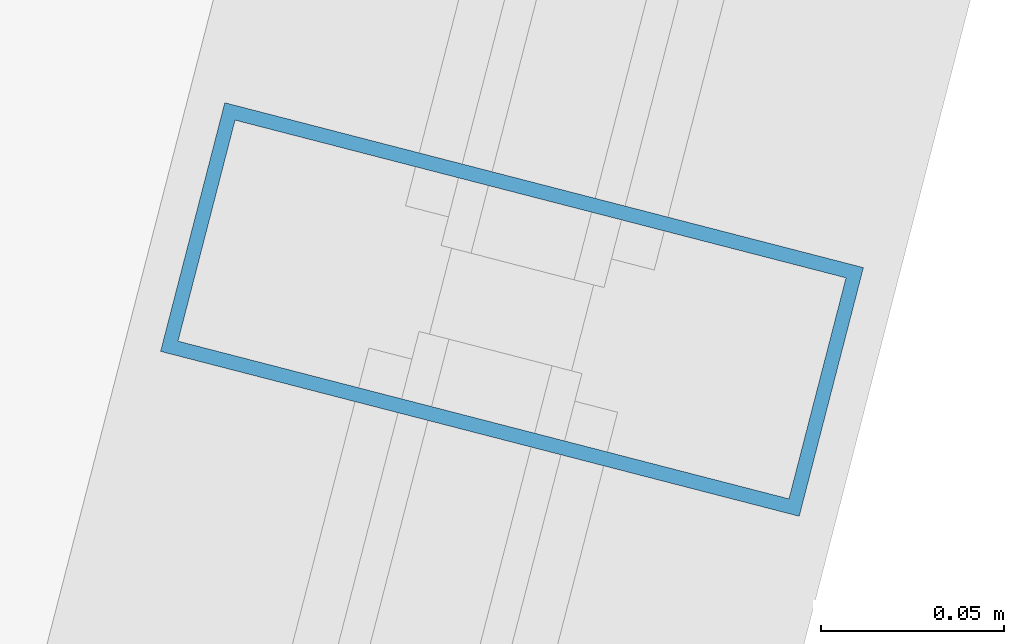
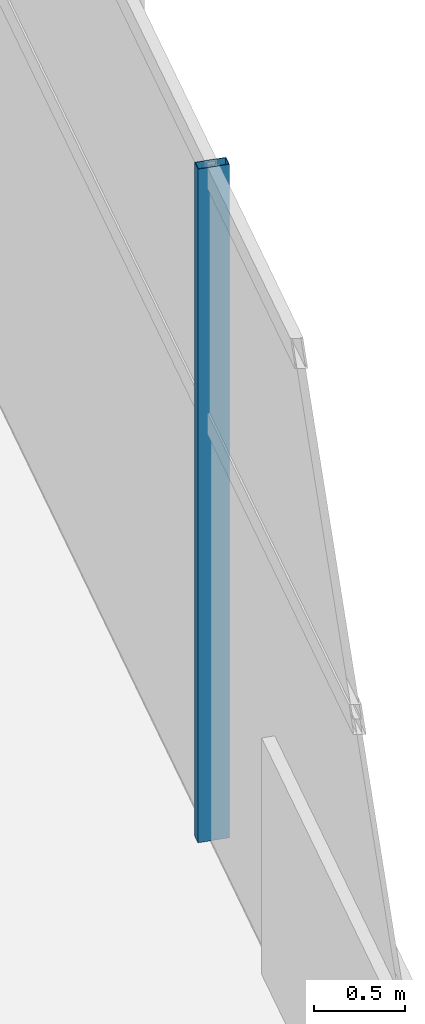
# One storey, part 67 of 186: 1 member, 1 element without a shape of its own.
"""IFC4 building model written with IfcOpenShell, lengths in metres."""

from ifc_helpers import new_model, si_unit, direction, frame, origin, origin_2d, place, context, subcontext, project, spatial, hollow_rectangle, extrude, material, layer, layer_set, material_profile, profile_set, type_object, element, aggregate, save


model = new_model("IFC4")

# Units and contexts
model_context = context("Model", 3, precision=1e-05, world=origin(), true_north=direction((0.0, 1.0)))
body_context = subcontext(model_context, "Body", "Model", "MODEL_VIEW")
ifc_project = project(units=[si_unit("LENGTHUNIT", "METRE"), si_unit("AREAUNIT", "SQUARE_METRE"), si_unit("VOLUMEUNIT", "CUBIC_METRE"), si_unit("PLANEANGLEUNIT", "RADIAN"), si_unit("MASSUNIT", "GRAM", prefix="KILO")], contexts=[model_context])

# Site, building, storey
site_placement = place(None, origin())
site = spatial("IfcSite", under=ifc_project, at=site_placement, CompositionType="ELEMENT")
building_placement = place(site_placement, origin())
building = spatial("IfcBuilding", under=site, at=building_placement, Name="Kazemori Nagisa Stadium", CompositionType="ELEMENT")
storey_placement = place(building_placement, frame((0.0, 0.0, 20.39990234375)))
storey = spatial("IfcBuildingStorey", under=building, at=storey_placement, Name="L04", CompositionType="ELEMENT", Elevation=20.39990234375)

# Curtain wall, member
ifc_material_1 = material(Name="Anodised aluminium 6063-T5", Category="aluminium")
ifc_layer = layer(ifc_material_1, 0.179931640625, Name="Anodised aluminium 6063-T5", Category="aluminium")
ifc_layer_set = layer_set([ifc_layer], Name="Anodised aluminium 6063-T5")
curtain_wall_type = type_object("IfcCurtainWallType", Name="CW_L04R3_98", PredefinedType="USERDEFINED", material=ifc_layer_set)
curtain_wall_placement = place(storey_placement, origin())
curtain_wall = element("IfcCurtainWall", 1, at=curtain_wall_placement, inside=storey, type_object=curtain_wall_type, Name="Unitised curtain wall CW-L04R3-98 L04", ObjectType="UNITISED CURTAIN WALL", PredefinedType="USERDEFINED")
ifc_material_2 = material(Name="Aluminium 6063-T5 anodised", Category="aluminium")
ifc_material_profile = material_profile(ifc_material_2, hollow_rectangle(XDim=0.070068359375, YDim=0.179931640625, WallThickness=0.00390625, at=origin_2d()), Name="ALU-MULL-70x180x4")
ifc_profile_set = profile_set([ifc_material_profile], Name="Aluminium 6063-T5 anodised")
member_type = type_object("IfcMemberType", Name="Mullion_M01", PredefinedType="MULLION", material=ifc_profile_set)
member_placement = place(storey_placement, frame((215.1943359375, 76.0693359375, 0.0), z_axis=(0.0, 0.0, 1.0), x_axis=(0.249964642418, 0.968254965152, 0.0)))
member = element("IfcMember", 2, at=member_placement, type_object=member_type, Name="Curtain wall mullion CW-L04R3-98-M3", PredefinedType="MULLION", context=body_context, shape_type="SweptSolid", body=[
    extrude(hollow_rectangle(XDim=0.070068359375, YDim=0.179931640625, WallThickness=0.00390625, at=origin_2d()), origin(), (0.0, 0.0, 1.0), 4.530029296875),
])
aggregate(curtain_wall, [member])

save(model, "model.ifc")
